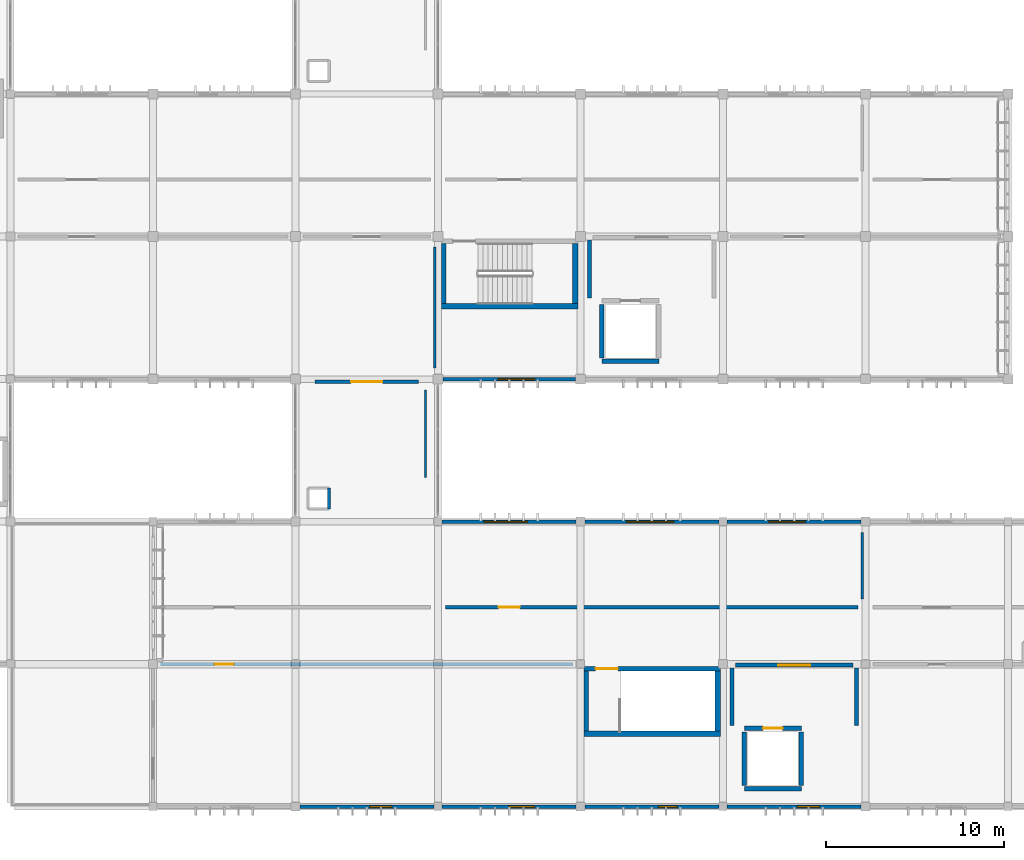
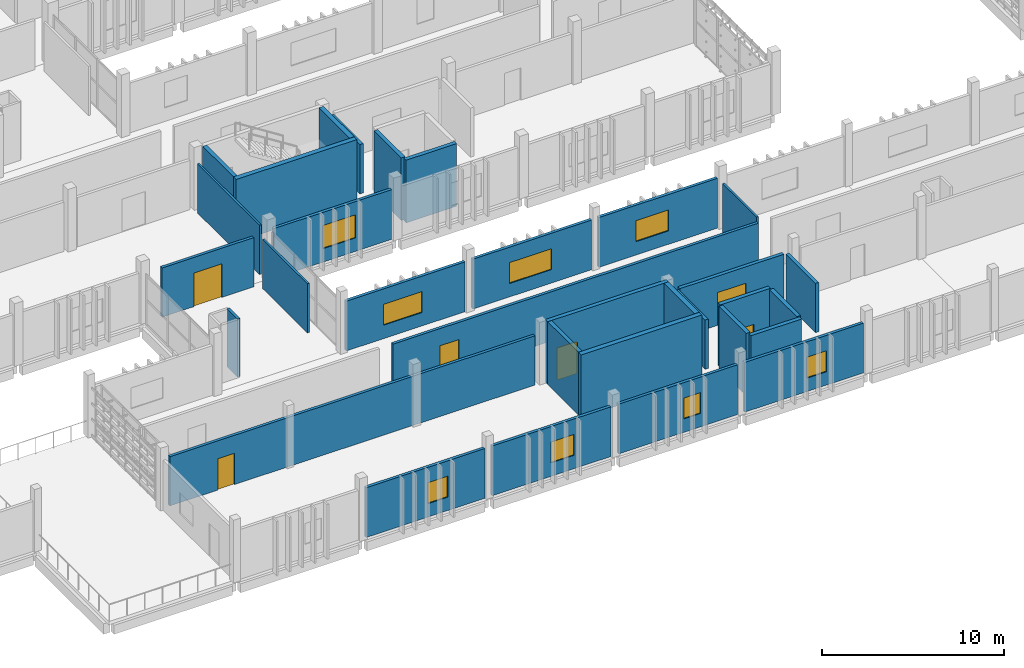
# One storey, part 46 of 63: 32 walls, 8 windows, 6 doors, 14 openings.
"""IFC4 building model written with IfcOpenShell, lengths in metres."""

import ifcopenshell
import ifcopenshell.guid

model = None  # the IFC model being written
_history = None  # IfcOwnerHistory: only IFC2X3 demands one
_inside = {}  # id of a spatial element -> (the spatial element, [elements in it])
_under = {}  # id of a project, library or spatial element -> (it, [spatial elements below it])
_declared = {}  # id of a project -> (the project, [libraries it declares])
_typed = {}  # id of a type object -> (the type object, [elements of that type])
_made_of = {}  # id of a material, layer set ... -> (it, [elements and type objects made of it])


def new_model(schema):
    """Start an empty IFC model of exactly this schema.

    Asked for "IFC4X3", IfcOpenShell would pick the latest addendum, in which some entities
    have other attributes; the version numbers below select the first issue.
    IFC2X3 requires an IfcOwnerHistory on every rooted entity: one is made here for all.
    """
    global model, _history
    if schema == "IFC4X3":
        model = ifcopenshell.file(schema_version=(4, 3, 0, 0))
    else:
        model = ifcopenshell.file(schema=schema)
    _inside.clear()
    _under.clear()
    _declared.clear()
    _typed.clear()
    _made_of.clear()
    _history = None
    if model.schema == "IFC2X3":
        org = make("IfcOrganization", Name="unknown")
        user = make(
            "IfcPersonAndOrganization",
            ThePerson=make("IfcPerson", FamilyName="unknown"),
            TheOrganization=org,
        )
        app = make(
            "IfcApplication",
            ApplicationDeveloper=org,
            Version="unknown",
            ApplicationFullName="unknown",
            ApplicationIdentifier="unknown",
        )
        _history = make(
            "IfcOwnerHistory",
            OwningUser=user,
            OwningApplication=app,
            ChangeAction="ADDED",
            CreationDate=0,
        )
    return model


def make(cls, **values):
    """One entity of the class cls with the attributes given. An attribute that is None is left unset."""
    return model.create_entity(
        cls, **{name: value for name, value in values.items() if value is not None}
    )


def rooted(cls, **values):
    """An entity with a GlobalId (a new one), such as an element, a storey or a relation."""
    return make(cls, GlobalId=ifcopenshell.guid.new(), OwnerHistory=_history, **values)


def si_unit(unit_type, name, prefix=None):
    """IfcSIUnit, for example si_unit("LENGTHUNIT", "METRE", prefix="MILLI")."""
    return make("IfcSIUnit", UnitType=unit_type, Prefix=prefix, Name=name)


def assignment(units):
    """IfcUnitAssignment: the units of a project."""
    return None if units is None else make("IfcUnitAssignment", Units=units)


def point(xyz):
    """IfcCartesianPoint."""
    return None if xyz is None else make("IfcCartesianPoint", Coordinates=xyz)


def direction(xyz):
    """IfcDirection."""
    return None if xyz is None else make("IfcDirection", DirectionRatios=xyz)


def frame(location, z_axis=None, x_axis=None):
    """IfcAxis2Placement3D, a coordinate frame: its origin and axes. An axis left out is left unset."""
    return make(
        "IfcAxis2Placement3D",
        Location=point(location),
        Axis=direction(z_axis),
        RefDirection=direction(x_axis),
    )


def frame_2d(location, x_axis=None):
    """IfcAxis2Placement2D, a coordinate frame in the plane: its origin and x axis."""
    return make(
        "IfcAxis2Placement2D", Location=point(location), RefDirection=direction(x_axis)
    )


def origin():
    """The frame at (0, 0, 0) with its axes left unset."""
    return frame((0.0, 0.0, 0.0))


def place(relative_to, where):
    """IfcLocalPlacement: puts the frame where relative to a parent placement (None: the world)."""
    return make(
        "IfcLocalPlacement", PlacementRelTo=relative_to, RelativePlacement=where
    )


def context(
    kind, dimensions, precision=None, world=None, true_north=None, identifier=None
):
    """IfcGeometricRepresentationContext, for example the 3D "Model" context."""
    return make(
        "IfcGeometricRepresentationContext",
        ContextIdentifier=identifier,
        ContextType=kind,
        CoordinateSpaceDimension=dimensions,
        Precision=precision,
        WorldCoordinateSystem=world,
        TrueNorth=true_north,
    )


def subcontext(parent, identifier, kind, view, scale=None):
    """IfcGeometricRepresentationSubContext, for example "Body" below "Model"."""
    return make(
        "IfcGeometricRepresentationSubContext",
        ContextIdentifier=identifier,
        ContextType=kind,
        ParentContext=parent,
        TargetScale=scale,
        TargetView=view,
    )


def project(units=None, contexts=None):
    """IfcProject with its units and contexts."""
    return rooted(
        "IfcProject",
        Name="project",
        RepresentationContexts=contexts,
        UnitsInContext=assignment(units),
    )


def spatial(cls, under=None, at=None, **own):
    """A site, building, storey or space (cls), placed at a placement, below another one or the project."""
    s = rooted(cls, ObjectPlacement=at, **own)
    if under is not None:
        _under.setdefault(under.id(), (under, []))[1].append(s)
    return s


def profile(cls, at=None, kind="AREA", **sizes):
    """A parametric profile (cls). Its sizes go by their IFC names, for example OverallWidth=200.0."""
    return make(cls, ProfileType=kind, Position=at, **sizes)


def rectangle(**sizes):
    """IfcRectangleProfileDef."""
    return profile("IfcRectangleProfileDef", **sizes)


def extrude(swept, where, along, depth):
    """IfcExtrudedAreaSolid: the profile swept, set in the frame where, extruded along a direction by depth."""
    return make(
        "IfcExtrudedAreaSolid",
        SweptArea=swept,
        Position=where,
        ExtrudedDirection=direction(along),
        Depth=depth,
    )


def shape(context_of_items, identifier, shape_type, items):
    """IfcShapeRepresentation: the items that make up one representation, for example the "Body"."""
    return make(
        "IfcShapeRepresentation",
        ContextOfItems=context_of_items,
        RepresentationIdentifier=identifier,
        RepresentationType=shape_type,
        Items=items,
    )


def material(Name=None, Category=None):
    """IfcMaterial."""
    return make("IfcMaterial", Name=Name, Category=Category)


def layer(
    of_material, thickness, ventilated=None, Name=None, Category=None, Priority=None
):
    """IfcMaterialLayer: one layer of a wall or slab, of a material (None: an air gap)."""
    return make(
        "IfcMaterialLayer",
        Material=of_material,
        LayerThickness=thickness,
        IsVentilated=ventilated,
        Name=Name,
        Category=Category,
        Priority=Priority,
    )


def layer_set(layers, Name=None):
    """IfcMaterialLayerSet."""
    return make("IfcMaterialLayerSet", MaterialLayers=layers, LayerSetName=Name)


def made_of(thing, what):
    """Note that an element or type object is made of a material, layer set ...; save() writes the relation."""
    if what is not None:
        _made_of.setdefault(what.id(), (what, []))[1].append(thing)
    return thing


def type_object(cls, material=None, **own):
    """A type object (cls), such as IfcWallType, which elements share."""
    return made_of(rooted(cls, **own), material)


def element(
    cls,
    number,
    at=None,
    inside=None,
    cuts=None,
    type_object=None,
    material=None,
    context=None,
    identifier="Body",
    shape_type=None,
    held_by="IfcProductDefinitionShape",
    body=None,
    shapes=None,
    **own,
):
    """One element of the class cls, such as IfcWall. Its Tag is "e" and its number.

    at: its placement. inside: the storey or other place that contains it. cuts: it is an
    opening in that element (IfcRelVoidsElement). A single representation is given by context,
    identifier, shape_type and body (its items); several are given by shapes. held_by: the class
    of the entity that holds the representations. save() writes the other relations.
    """
    e = rooted(cls, Tag="e%d" % number, ObjectPlacement=at, **own)
    if body is not None:
        shapes = [shape(context, identifier, shape_type, body)]
    if shapes is not None:
        e.Representation = make(held_by, Representations=shapes)
    if inside is not None:
        _inside.setdefault(inside.id(), (inside, []))[1].append(e)
    if cuts is not None:
        rooted(
            "IfcRelVoidsElement", RelatingBuildingElement=cuts, RelatedOpeningElement=e
        )
    if type_object is not None:
        _typed.setdefault(type_object.id(), (type_object, []))[1].append(e)
    return made_of(e, material)


def fill(opening, filler):
    """IfcRelFillsElement: the door or window that sits in an opening."""
    return rooted(
        "IfcRelFillsElement",
        RelatingOpeningElement=opening,
        RelatedBuildingElement=filler,
    )


def aggregate(whole, parts):
    """IfcRelAggregates: a whole, such as a stair, and the parts it consists of."""
    return rooted("IfcRelAggregates", RelatingObject=whole, RelatedObjects=parts)


def save(model, path):
    """Write the relations noted so far, then the file.

    IfcRelAggregates (storeys below a building ...), IfcRelContainedInSpatialStructure (elements
    in a storey), IfcRelDefinesByType, IfcRelAssociatesMaterial and IfcRelDeclares: one each for
    every whole, place, type object, material and project.
    """
    for whole, parts in _under.values():
        aggregate(whole, parts)
    for where, things in _inside.values():
        rooted(
            "IfcRelContainedInSpatialStructure",
            RelatedElements=things,
            RelatingStructure=where,
        )
    for kind, things in _typed.values():
        rooted("IfcRelDefinesByType", RelatedObjects=things, RelatingType=kind)
    for what, things in _made_of.values():
        rooted("IfcRelAssociatesMaterial", RelatedObjects=things, RelatingMaterial=what)
    for by, libraries in _declared.values():
        rooted("IfcRelDeclares", RelatingContext=by, RelatedDefinitions=libraries)
    model.write(path)


model = new_model("IFC4")

# Units and contexts
model_context = context("Model", 3, precision=1e-05, world=origin(), true_north=direction((0.0, 1.0)))
body_context = subcontext(model_context, "Body", "Model", "MODEL_VIEW")
ifc_project = project(units=[si_unit("LENGTHUNIT", "METRE"), si_unit("AREAUNIT", "SQUARE_METRE"), si_unit("VOLUMEUNIT", "CUBIC_METRE"), si_unit("PLANEANGLEUNIT", "RADIAN"), si_unit("MASSUNIT", "GRAM", prefix="KILO")], contexts=[model_context])

# Site, building, storey
site_placement = place(None, origin())
site = spatial("IfcSite", under=ifc_project, at=site_placement, CompositionType="ELEMENT")
building_placement = place(site_placement, origin())
building = spatial("IfcBuilding", under=site, at=building_placement, Name="Jelvoka-Kovrelna Polytechnic", CompositionType="ELEMENT")
storey_placement = place(building_placement, frame((0.0, 0.0, 18.0)))
storey = spatial("IfcBuildingStorey", under=building, at=storey_placement, Name="L05", CompositionType="ELEMENT", Elevation=18.0)

# Wall
ifc_material_1 = material(Name="Concrete C35/45", Category="concrete")
ifc_layer_1 = layer(ifc_material_1, 0.219970703125)
ifc_layer_set_1 = layer_set([ifc_layer_1], Name="Concrete C35/45")
wall_type_1 = type_object("IfcWallType", Name="Wall_Compartment_220", PredefinedType="PARTITIONING", material=ifc_layer_set_1)
wall_1_placement = place(storey_placement, frame((88.5, 36.550048828125, 0.0), z_axis=(0.0, 0.0, 1.0), x_axis=(0.0, 1.0, 0.0)))
element("IfcWall", 1, at=wall_1_placement, inside=storey, type_object=wall_type_1, Name="L05 interior wall 0439", PredefinedType="PARTITIONING", context=body_context, shape_type="SweptSolid", body=[
    extrude(rectangle(XDim=3.25, YDim=0.219970703125, at=frame_2d((1.625, 0.0))), origin(), (0.0, 0.0, 1.0), 3.300048828125),
])

# Wall, opening, door
wall_2_placement = place(storey_placement, frame((96.699951171875, 15.949951171875, 0.0), z_axis=(0.0, 0.0, 1.0), x_axis=(1.0, 0.0, 0.0)))
wall_2 = element("IfcWall", 2, at=wall_2_placement, inside=storey, type_object=wall_type_1, Name="L05 interior wall 0552", PredefinedType="PARTITIONING", context=body_context, shape_type="SweptSolid", body=[
    extrude(rectangle(XDim=6.60009765625, YDim=0.219970703125, at=frame_2d((3.300048828125, 0.0))), origin(), (0.0, 0.0, 1.0), 3.300048828125),
])
opening_1_placement = place(wall_2_placement, frame((2.39990234375, 0.0, 0.0)))
opening_1 = element("IfcOpeningElement", 3, at=opening_1_placement, cuts=wall_2, Name="Opening FD-L05-101", PredefinedType="OPENING", context=body_context, shape_type="SweptSolid", body=[
    extrude(rectangle(XDim=1.800048828125, YDim=2.199951171875, at=frame_2d((0.89990234375, 1.10009765625))), frame((0.0, 0.119873046875, 0.0), z_axis=(0.0, -1.0, 0.0), x_axis=(1.0, 0.0, 0.0)), (0.0, 0.0, 1.0), 0.239990234375),
])
ifc_material_2 = material(Name="Paired steel corridor fire door", Category="steel")
door_type_1 = type_object("IfcDoorType", Name="Door_Fire_FD03", OperationType="NOTDEFINED", PredefinedType="DOOR", material=ifc_material_2)
door_1_placement = place(opening_1_placement, origin())
door_1 = element("IfcDoor", 4, at=door_1_placement, inside=storey, type_object=door_type_1, Name="L05 interior door FD-L05-101", OperationType="DOUBLE_DOOR_SINGLE_SWING", OverallHeight=2.199951171875, OverallWidth=1.800048828125, PredefinedType="DOOR", context=body_context, shape_type="SweptSolid", body=[
    extrude(rectangle(XDim=1.800048828125, YDim=2.199951171875, at=frame_2d((0.89990234375, 1.10009765625))), frame((0.0, 0.02490234375, 0.0), z_axis=(0.0, -1.0, 0.0), x_axis=(1.0, 0.0, 0.0)), (0.0, 0.0, 1.0), 0.050048828125),
])
fill(opening_1, door_1)

# Walls
for number, where, z_axis, x_axis, name in (
    (5, (96.5, 12.550048828125, 0.0), (0.0, 0.0, 1.0), (0.0, 1.0, 0.0), "L05 interior wall 0553"),
    (6, (103.5, 12.550048828125, 0.0), (0.0, 0.0, 1.0), (0.0, 1.0, 0.0), "L05 interior wall 0554"),
):
    element("IfcWall", number, at=place(storey_placement, frame(where, z_axis=z_axis, x_axis=x_axis)), inside=storey, type_object=wall_type_1, Name=name, PredefinedType="PARTITIONING", context=body_context, shape_type="SweptSolid", body=[
        extrude(rectangle(XDim=3.25, YDim=0.219970703125, at=frame_2d((1.625, 0.0))), origin(), (0.0, 0.0, 1.0), 3.300048828125),
    ])

# Wall, opening, door
ifc_material_3 = material(Name="Concrete C40/50", Category="concrete")
ifc_layer_2 = layer(ifc_material_3, 0.25)
ifc_layer_set_2 = layer_set([ifc_layer_2], Name="Concrete C40/50")
wall_type_2 = type_object("IfcWallType", Name="Wall_Core_250", PredefinedType="SOLIDWALL", material=ifc_layer_set_2)
wall_3_placement = place(storey_placement, frame((88.199951171875, 15.739990234375, 0.0), z_axis=(0.0, 0.0, 1.0), x_axis=(1.0, 0.0, 0.0)))
wall_3 = element("IfcWall", 7, at=wall_3_placement, inside=storey, type_object=wall_type_2, Name="L05 interior wall 0083", PredefinedType="SOLIDWALL", context=body_context, shape_type="SweptSolid", body=[
    extrude(rectangle(XDim=7.650146484375, YDim=0.25, at=frame_2d((3.8251953125, 0.0))), origin(), (0.0, 0.0, 1.0), 4.199951171875),
])
opening_2_placement = place(wall_3_placement, frame((0.64990234375, 0.0, 0.0)))
opening_2 = element("IfcOpeningElement", 8, at=opening_2_placement, cuts=wall_3, Name="Opening SD-L05-021", PredefinedType="OPENING", context=body_context, shape_type="SweptSolid", body=[
    extrude(rectangle(XDim=1.25, YDim=2.14990234375, at=frame_2d((0.625, 1.074951171875))), frame((0.0, 0.135009765625, 0.0), z_axis=(0.0, -1.0, 0.0), x_axis=(1.0, 0.0, 0.0)), (0.0, 0.0, 1.0), 0.27001953125),
])
ifc_material_4 = material(Name="Powder-coated steel fire door", Category="steel")
door_type_2 = type_object("IfcDoorType", Name="Door_Fire_FD02", OperationType="NOTDEFINED", PredefinedType="DOOR", material=ifc_material_4)
door_2_placement = place(opening_2_placement, origin())
door_2 = element("IfcDoor", 9, at=door_2_placement, inside=storey, type_object=door_type_2, Name="L05 interior door SD-L05-021", OperationType="SINGLE_SWING_LEFT", OverallHeight=2.14990234375, OverallWidth=1.25, PredefinedType="DOOR", context=body_context, shape_type="SweptSolid", body=[
    extrude(rectangle(XDim=1.25, YDim=2.14990234375, at=frame_2d((0.625, 1.074951171875))), frame((0.0, 0.02490234375, 0.0), z_axis=(0.0, -1.0, 0.0), x_axis=(1.0, 0.0, 0.0)), (0.0, 0.0, 1.0), 0.050048828125),
])
fill(opening_2, door_2)

# Walls
for number, where, z_axis, x_axis, name in (
    (10, (88.324951171875, 12.25, 0.0), (0.0, 0.0, 1.0), (0.0, 1.0, 0.0), "L05 interior wall 0084"),
    (11, (80.324951171875, 36.25, 0.0), (0.0, 0.0, 1.0), (0.0, 1.0, 0.0), "L05 interior wall 0108"),
):
    element("IfcWall", number, at=place(storey_placement, frame(where, z_axis=z_axis, x_axis=x_axis)), inside=storey, type_object=wall_type_2, Name=name, PredefinedType="SOLIDWALL", context=body_context, shape_type="SweptSolid", body=[
        extrude(rectangle(XDim=3.360107421875, YDim=0.25, at=frame_2d((1.68017578125, 0.0))), origin(), (0.0, 0.0, 1.0), 4.199951171875),
    ])
wall_4_placement = place(storey_placement, frame((89.199951171875, 33.0, 0.0), z_axis=(0.0, 0.0, 1.0), x_axis=(1.0, 0.0, 0.0)))
element("IfcWall", 12, at=wall_4_placement, inside=storey, type_object=wall_type_2, Name="L05 interior wall 0434", PredefinedType="SOLIDWALL", context=body_context, shape_type="SweptSolid", body=[
    extrude(rectangle(XDim=3.199951171875, YDim=0.25, at=frame_2d((1.60009765625, 0.0))), origin(), (0.0, 0.0, 1.0), 4.199951171875),
])
wall_5_placement = place(storey_placement, frame((89.199951171875, 33.199951171875, 0.0), z_axis=(0.0, 0.0, 1.0), x_axis=(0.0, 1.0, 0.0)))
element("IfcWall", 13, at=wall_5_placement, inside=storey, type_object=wall_type_2, Name="L05 interior wall 0436", PredefinedType="SOLIDWALL", context=body_context, shape_type="SweptSolid", body=[
    extrude(rectangle(XDim=3.0, YDim=0.25, at=frame_2d((1.5, 0.0))), origin(), (0.0, 0.0, 1.0), 4.199951171875),
])
wall_6_placement = place(storey_placement, frame((97.199951171875, 9.0, 0.0), z_axis=(0.0, 0.0, 1.0), x_axis=(1.0, 0.0, 0.0)))
element("IfcWall", 14, at=wall_6_placement, inside=storey, type_object=wall_type_2, Name="L05 interior wall 0548", PredefinedType="SOLIDWALL", context=body_context, shape_type="SweptSolid", body=[
    extrude(rectangle(XDim=3.199951171875, YDim=0.25, at=frame_2d((1.60009765625, 0.0))), origin(), (0.0, 0.0, 1.0), 4.199951171875),
])

# Wall, opening, door
wall_7_placement = place(storey_placement, frame((97.199951171875, 12.39990234375, 0.0), z_axis=(0.0, 0.0, 1.0), x_axis=(1.0, 0.0, 0.0)))
wall_7 = element("IfcWall", 15, at=wall_7_placement, inside=storey, type_object=wall_type_2, Name="L05 interior wall 0549", PredefinedType="SOLIDWALL", context=body_context, shape_type="SweptSolid", body=[
    extrude(rectangle(XDim=3.199951171875, YDim=0.25, at=frame_2d((1.60009765625, 0.0))), origin(), (0.0, 0.0, 1.0), 4.199951171875),
])
opening_3_placement = place(wall_7_placement, frame((1.050048828125, 0.0, 0.0)))
opening_3 = element("IfcOpeningElement", 16, at=opening_3_placement, cuts=wall_7, Name="Opening LD-L05-38", PredefinedType="OPENING", context=body_context, shape_type="SweptSolid", body=[
    extrude(rectangle(XDim=1.10009765625, YDim=2.14990234375, at=frame_2d((0.550048828125, 1.074951171875))), frame((0.0, 0.135009765625, 0.0), z_axis=(0.0, -1.0, 0.0), x_axis=(1.0, 0.0, 0.0)), (0.0, 0.0, 1.0), 0.27001953125),
])
ifc_material_5 = material(Name="Brushed stainless steel sliding landing door", Category="steel")
door_type_3 = type_object("IfcDoorType", Name="Door_Lift_LD01", OperationType="NOTDEFINED", PredefinedType="DOOR", material=ifc_material_5)
door_3_placement = place(opening_3_placement, origin())
door_3 = element("IfcDoor", 17, at=door_3_placement, inside=storey, type_object=door_type_3, Name="L05 lift landing sliding door LD-L05-38", OperationType="DOUBLE_DOOR_SLIDING", OverallHeight=2.14990234375, OverallWidth=1.10009765625, PredefinedType="DOOR", context=body_context, shape_type="SweptSolid", body=[
    extrude(rectangle(XDim=1.10009765625, YDim=2.14990234375, at=frame_2d((0.550048828125, 1.074951171875))), frame((0.0, 0.02490234375, 0.0), z_axis=(0.0, -1.0, 0.0), x_axis=(1.0, 0.0, 0.0)), (0.0, 0.0, 1.0), 0.050048828125),
])
fill(opening_3, door_3)

# Walls
for number, where, z_axis, x_axis, name in (
    (18, (97.199951171875, 9.199951171875, 0.0), (0.0, 0.0, 1.0), (0.0, 1.0, 0.0), "L05 interior wall 0550"),
    (19, (100.39990234375, 9.199951171875, 0.0), (0.0, 0.0, 1.0), (0.0, 1.0, 0.0), "L05 interior wall 0551"),
):
    element("IfcWall", number, at=place(storey_placement, frame(where, z_axis=z_axis, x_axis=x_axis)), inside=storey, type_object=wall_type_2, Name=name, PredefinedType="SOLIDWALL", context=body_context, shape_type="SweptSolid", body=[
        extrude(rectangle(XDim=3.0, YDim=0.25, at=frame_2d((1.5, 0.0))), origin(), (0.0, 0.0, 1.0), 4.199951171875),
    ])

# Wall, opening, door
ifc_material_6 = material(Name="Autoclaved aerated concrete blockwork", Category="masonry")
ifc_layer_3 = layer(ifc_material_6, 0.179931640625)
ifc_layer_set_3 = layer_set([ifc_layer_3], Name="Autoclaved aerated concrete blockwork")
wall_type_3 = type_object("IfcWallType", Name="Wall_Corridor_180", PredefinedType="PARTITIONING", material=ifc_layer_set_3)
wall_8_placement = place(storey_placement, frame((64.429931640625, 16.0, 0.0), z_axis=(0.0, 0.0, 1.0), x_axis=(1.0, 0.0, 0.0)))
wall_8 = element("IfcWall", 20, at=wall_8_placement, inside=storey, type_object=wall_type_3, Name="L05 interior wall 1177", PredefinedType="PARTITIONING", context=body_context, shape_type="SweptSolid", body=[
    extrude(rectangle(XDim=23.14013671875, YDim=0.179931640625, at=frame_2d((11.570068359375, 0.0))), origin(), (0.0, 0.0, 1.0), 3.300048828125),
])
opening_4_placement = place(wall_8_placement, frame((3.0400390625, 0.0, 0.0)))
opening_4 = element("IfcOpeningElement", 21, at=opening_4_placement, cuts=wall_8, Name="Opening D-L05-373", PredefinedType="OPENING", context=body_context, shape_type="SweptSolid", body=[
    extrude(rectangle(XDim=1.06005859375, YDim=2.10009765625, at=frame_2d((0.530029296875, 1.050048828125))), frame((0.0, 0.099853515625, 0.0), z_axis=(0.0, -1.0, 0.0), x_axis=(1.0, 0.0, 0.0)), (0.0, 0.0, 1.0), 0.199951171875),
])
ifc_material_7 = material(Name="Hardwood solid-core door", Category="wood")
door_type_4 = type_object("IfcDoorType", Name="Door_Int_D05", OperationType="NOTDEFINED", PredefinedType="DOOR", material=ifc_material_7)
door_4_placement = place(opening_4_placement, origin())
door_4 = element("IfcDoor", 22, at=door_4_placement, inside=storey, type_object=door_type_4, Name="L05 interior door D-L05-373", OperationType="SINGLE_SWING_RIGHT", OverallHeight=2.10009765625, OverallWidth=1.06005859375, PredefinedType="DOOR", context=body_context, shape_type="SweptSolid", body=[
    extrude(rectangle(XDim=1.06005859375, YDim=2.10009765625, at=frame_2d((0.530029296875, 1.050048828125))), frame((0.0, 0.02490234375, 0.0), z_axis=(0.0, -1.0, 0.0), x_axis=(1.0, 0.0, 0.0)), (0.0, 0.0, 1.0), 0.050048828125),
])
fill(opening_4, door_4)

wall_9_placement = place(storey_placement, frame((80.429931640625, 19.199951171875, 0.0), z_axis=(0.0, 0.0, 1.0), x_axis=(1.0, 0.0, 0.0)))
wall_9 = element("IfcWall", 23, at=wall_9_placement, inside=storey, type_object=wall_type_3, Name="L05 interior wall 1184", PredefinedType="PARTITIONING", context=body_context, shape_type="SweptSolid", body=[
    extrude(rectangle(XDim=23.14013671875, YDim=0.179931640625, at=frame_2d((11.570068359375, 0.0))), origin(), (0.0, 0.0, 1.0), 3.300048828125),
])
opening_5_placement = place(wall_9_placement, frame((2.969970703125, 0.0, 0.0)))
opening_5 = element("IfcOpeningElement", 24, at=opening_5_placement, cuts=wall_9, Name="Opening D-L05-378", PredefinedType="OPENING", context=body_context, shape_type="SweptSolid", body=[
    extrude(rectangle(XDim=1.199951171875, YDim=2.14990234375, at=frame_2d((0.60009765625, 1.074951171875))), frame((0.0, 0.099853515625, 0.0), z_axis=(0.0, -1.0, 0.0), x_axis=(1.0, 0.0, 0.0)), (0.0, 0.0, 1.0), 0.199951171875),
])
ifc_material_8 = material(Name="Laboratory vision-panel door", Category="wood")
door_type_5 = type_object("IfcDoorType", Name="Door_Int_D12", OperationType="NOTDEFINED", PredefinedType="DOOR", material=ifc_material_8)
door_5_placement = place(opening_5_placement, origin())
door_5 = element("IfcDoor", 25, at=door_5_placement, inside=storey, type_object=door_type_5, Name="L05 interior door D-L05-378", OperationType="SINGLE_SWING_LEFT", OverallHeight=2.14990234375, OverallWidth=1.199951171875, PredefinedType="DOOR", context=body_context, shape_type="SweptSolid", body=[
    extrude(rectangle(XDim=1.199951171875, YDim=2.14990234375, at=frame_2d((0.60009765625, 1.074951171875))), frame((0.0, 0.02490234375, 0.0), z_axis=(0.0, -1.0, 0.0), x_axis=(1.0, 0.0, 0.0)), (0.0, 0.0, 1.0), 0.050048828125),
])
fill(opening_5, door_5)

wall_10_placement = place(storey_placement, frame((73.10009765625, 31.85009765625, 0.0), z_axis=(0.0, 0.0, 1.0), x_axis=(1.0, 0.0, 0.0)))
wall_10 = element("IfcWall", 26, at=wall_10_placement, inside=storey, type_object=wall_type_3, Name="L05 interior wall 1216", PredefinedType="PARTITIONING", context=body_context, shape_type="SweptSolid", body=[
    extrude(rectangle(XDim=5.7998046875, YDim=0.179931640625, at=frame_2d((2.89990234375, 0.0))), origin(), (0.0, 0.0, 1.0), 3.300048828125),
])
opening_6_placement = place(wall_10_placement, frame((2.02001953125, 0.0, 0.0)))
opening_6 = element("IfcOpeningElement", 27, at=opening_6_placement, cuts=wall_10, Name="Opening D-L05-404", PredefinedType="OPENING", context=body_context, shape_type="SweptSolid", body=[
    extrude(rectangle(XDim=1.760009765625, YDim=2.25, at=frame_2d((0.8798828125, 1.125))), frame((0.0, 0.099853515625, 0.0), z_axis=(0.0, -1.0, 0.0), x_axis=(1.0, 0.0, 0.0)), (0.0, 0.0, 1.0), 0.199951171875),
])
ifc_material_9 = material(Name="Paired refectory hall double door", Category="wood")
door_type_6 = type_object("IfcDoorType", Name="Door_Int_D21", OperationType="NOTDEFINED", PredefinedType="DOOR", material=ifc_material_9)
door_6_placement = place(opening_6_placement, origin())
door_6 = element("IfcDoor", 28, at=door_6_placement, inside=storey, type_object=door_type_6, Name="L05 interior door D-L05-404", OperationType="DOUBLE_DOOR_SINGLE_SWING", OverallHeight=2.25, OverallWidth=1.760009765625, PredefinedType="DOOR", context=body_context, shape_type="SweptSolid", body=[
    extrude(rectangle(XDim=1.760009765625, YDim=2.25, at=frame_2d((0.8798828125, 1.125))), frame((0.0, 0.02490234375, 0.0), z_axis=(0.0, -1.0, 0.0), x_axis=(1.0, 0.0, 0.0)), (0.0, 0.0, 1.0), 0.050048828125),
])
fill(opening_6, door_6)

# Wall, opening, window
ifc_material_10 = material(Name="Precast concrete C40/50", Category="concrete")
ifc_layer_4 = layer(ifc_material_10, 0.18505859375)
ifc_layer_set_4 = layer_set([ifc_layer_4], Name="Precast concrete C40/50")
wall_type_4 = type_object("IfcWallType", Name="Wall_Ext_White_260", PredefinedType="STANDARD", material=ifc_layer_set_4)
wall_11_placement = place(storey_placement, frame((79.778076171875, 8.0, 0.0), z_axis=(0.0, 0.0, 1.0), x_axis=(-1.0, 0.0, 0.0)))
wall_11 = element("IfcWall", 29, at=wall_11_placement, inside=storey, type_object=wall_type_4, Name="L05 exterior wall 0340", PredefinedType="STANDARD", context=body_context, shape_type="SweptSolid", body=[
    extrude(rectangle(XDim=7.531005859375, YDim=0.18505859375, at=frame_2d((3.765625, 0.0))), origin(), (0.0, 0.0, 1.0), 3.3349609375),
])
opening_7_placement = place(wall_11_placement, frame((2.35791015625, 0.0, 0.89990234375)))
opening_7 = element("IfcOpeningElement", 30, at=opening_7_placement, cuts=wall_11, Name="Opening W-L05-094", PredefinedType="OPENING", context=body_context, shape_type="SweptSolid", body=[
    extrude(rectangle(XDim=1.25, YDim=1.39990234375, at=frame_2d((0.625, 0.699951171875))), frame((0.0, 0.1025390625, 0.0), z_axis=(0.0, -1.0, 0.0), x_axis=(1.0, 0.0, 0.0)), (0.0, 0.0, 1.0), 0.205078125),
])
ifc_material_11 = material(Name="Thermally broken anodised aluminium and low-e glazing", Category="aluminium")
window_type_1 = type_object("IfcWindowType", Name="Win_Casement_W12", PartitioningType="SINGLE_PANEL", PredefinedType="WINDOW", material=ifc_material_11)
window_1_placement = place(opening_7_placement, origin())
window_1 = element("IfcWindow", 31, at=window_1_placement, inside=storey, type_object=window_type_1, Name="L05 aluminium casement window W-L05-094", OverallHeight=1.39990234375, OverallWidth=1.25, PartitioningType="SINGLE_PANEL", PredefinedType="WINDOW", context=body_context, shape_type="SweptSolid", body=[
    extrude(rectangle(XDim=1.25, YDim=1.39990234375, at=frame_2d((0.625, 0.699951171875))), frame((0.0, 0.030029296875, 0.0), z_axis=(0.0, -1.0, 0.0), x_axis=(1.0, 0.0, 0.0)), (0.0, 0.0, 1.0), 0.06005859375),
])
fill(opening_7, window_1)

wall_12_placement = place(storey_placement, frame((87.7529296875, 8.0, 0.0), z_axis=(0.0, 0.0, 1.0), x_axis=(-1.0, 0.0, 0.0)))
wall_12 = element("IfcWall", 32, at=wall_12_placement, inside=storey, type_object=wall_type_4, Name="L05 exterior wall 0341", PredefinedType="STANDARD", context=body_context, shape_type="SweptSolid", body=[
    extrude(rectangle(XDim=7.531005859375, YDim=0.18505859375, at=frame_2d((3.765625, 0.0))), origin(), (0.0, 0.0, 1.0), 3.3349609375),
])
opening_8_placement = place(wall_12_placement, frame((2.3330078125, 0.0, 0.89990234375)))
opening_8 = element("IfcOpeningElement", 33, at=opening_8_placement, cuts=wall_12, Name="Opening W-L05-095", PredefinedType="OPENING", context=body_context, shape_type="SweptSolid", body=[
    extrude(rectangle(XDim=1.449951171875, YDim=1.39990234375, at=frame_2d((0.72509765625, 0.699951171875))), frame((0.0, 0.1025390625, 0.0), z_axis=(0.0, -1.0, 0.0), x_axis=(1.0, 0.0, 0.0)), (0.0, 0.0, 1.0), 0.205078125),
])
ifc_material_12 = material(Name="Thermally broken anodised aluminium and low-e glazing", Category="aluminium")
window_type_2 = type_object("IfcWindowType", Name="Win_Casement_W13", PartitioningType="SINGLE_PANEL", PredefinedType="WINDOW", material=ifc_material_12)
window_2_placement = place(opening_8_placement, origin())
window_2 = element("IfcWindow", 34, at=window_2_placement, inside=storey, type_object=window_type_2, Name="L05 aluminium casement window W-L05-095", OverallHeight=1.39990234375, OverallWidth=1.449951171875, PartitioningType="SINGLE_PANEL", PredefinedType="WINDOW", context=body_context, shape_type="SweptSolid", body=[
    extrude(rectangle(XDim=1.449951171875, YDim=1.39990234375, at=frame_2d((0.72509765625, 0.699951171875))), frame((0.0, 0.030029296875, 0.0), z_axis=(0.0, -1.0, 0.0), x_axis=(1.0, 0.0, 0.0)), (0.0, 0.0, 1.0), 0.06005859375),
])
fill(opening_8, window_2)

wall_13_placement = place(storey_placement, frame((80.221923828125, 24.0, 0.0), z_axis=(0.0, 0.0, 1.0), x_axis=(1.0, 0.0, 0.0)))
wall_13 = element("IfcWall", 35, at=wall_13_placement, inside=storey, type_object=wall_type_4, Name="L05 exterior wall 0342", PredefinedType="STANDARD", context=body_context, shape_type="SweptSolid", body=[
    extrude(rectangle(XDim=7.531005859375, YDim=0.18505859375, at=frame_2d((3.765625, 0.0))), origin(), (0.0, 0.0, 1.0), 3.3349609375),
])
opening_9_placement = place(wall_13_placement, frame((2.35791015625, 0.0, 0.89990234375)))
opening_9 = element("IfcOpeningElement", 36, at=opening_9_placement, cuts=wall_13, Name="Opening W-L05-096", PredefinedType="OPENING", context=body_context, shape_type="SweptSolid", body=[
    extrude(rectangle(XDim=2.449951171875, YDim=1.39990234375, at=frame_2d((1.22509765625, 0.699951171875))), frame((0.0, 0.1025390625, 0.0), z_axis=(0.0, -1.0, 0.0), x_axis=(1.0, 0.0, 0.0)), (0.0, 0.0, 1.0), 0.205078125),
])
ifc_material_13 = material(Name="Thermally broken anodised aluminium and low-e glazing", Category="aluminium")
window_type_3 = type_object("IfcWindowType", Name="Win_Casement_W18", PartitioningType="DOUBLE_PANEL_VERTICAL", PredefinedType="WINDOW", material=ifc_material_13)
window_3_placement = place(opening_9_placement, origin())
window_3 = element("IfcWindow", 37, at=window_3_placement, inside=storey, type_object=window_type_3, Name="L05 aluminium casement window W-L05-096", OverallHeight=1.39990234375, OverallWidth=2.449951171875, PartitioningType="DOUBLE_PANEL_VERTICAL", PredefinedType="WINDOW", context=body_context, shape_type="SweptSolid", body=[
    extrude(rectangle(XDim=2.449951171875, YDim=1.39990234375, at=frame_2d((1.22509765625, 0.699951171875))), frame((0.0, 0.030029296875, 0.0), z_axis=(0.0, -1.0, 0.0), x_axis=(1.0, 0.0, 0.0)), (0.0, 0.0, 1.0), 0.06005859375),
])
fill(opening_9, window_3)

wall_14_placement = place(storey_placement, frame((95.778076171875, 8.0, 0.0), z_axis=(0.0, 0.0, 1.0), x_axis=(-1.0, 0.0, 0.0)))
wall_14 = element("IfcWall", 38, at=wall_14_placement, inside=storey, type_object=wall_type_4, Name="L05 exterior wall 0343", PredefinedType="STANDARD", context=body_context, shape_type="SweptSolid", body=[
    extrude(rectangle(XDim=7.531005859375, YDim=0.18505859375, at=frame_2d((3.765625, 0.0))), origin(), (0.0, 0.0, 1.0), 3.3349609375),
])
opening_10_placement = place(wall_14_placement, frame((2.35791015625, 0.0, 0.89990234375)))
opening_10 = element("IfcOpeningElement", 39, at=opening_10_placement, cuts=wall_14, Name="Opening W-L05-097", PredefinedType="OPENING", context=body_context, shape_type="SweptSolid", body=[
    extrude(rectangle(XDim=1.050048828125, YDim=1.39990234375, at=frame_2d((0.52490234375, 0.699951171875))), frame((0.0, 0.1025390625, 0.0), z_axis=(0.0, -1.0, 0.0), x_axis=(1.0, 0.0, 0.0)), (0.0, 0.0, 1.0), 0.205078125),
])
ifc_material_14 = material(Name="Thermally broken anodised aluminium and low-e glazing", Category="aluminium")
window_type_4 = type_object("IfcWindowType", Name="Win_Casement_W11", PartitioningType="SINGLE_PANEL", PredefinedType="WINDOW", material=ifc_material_14)
window_4_placement = place(opening_10_placement, origin())
window_4 = element("IfcWindow", 40, at=window_4_placement, inside=storey, type_object=window_type_4, Name="L05 aluminium casement window W-L05-097", OverallHeight=1.39990234375, OverallWidth=1.050048828125, PartitioningType="SINGLE_PANEL", PredefinedType="WINDOW", context=body_context, shape_type="SweptSolid", body=[
    extrude(rectangle(XDim=1.050048828125, YDim=1.39990234375, at=frame_2d((0.52490234375, 0.699951171875))), frame((0.0, 0.030029296875, 0.0), z_axis=(0.0, -1.0, 0.0), x_axis=(1.0, 0.0, 0.0)), (0.0, 0.0, 1.0), 0.06005859375),
])
fill(opening_10, window_4)

wall_15_placement = place(storey_placement, frame((88.2470703125, 24.0, 0.0), z_axis=(0.0, 0.0, 1.0), x_axis=(1.0, 0.0, 0.0)))
wall_15 = element("IfcWall", 41, at=wall_15_placement, inside=storey, type_object=wall_type_4, Name="L05 exterior wall 0344", PredefinedType="STANDARD", context=body_context, shape_type="SweptSolid", body=[
    extrude(rectangle(XDim=7.531005859375, YDim=0.18505859375, at=frame_2d((3.765625, 0.0))), origin(), (0.0, 0.0, 1.0), 3.3349609375),
])
opening_11_placement = place(wall_15_placement, frame((2.3330078125, 0.0, 0.89990234375)))
opening_11 = element("IfcOpeningElement", 42, at=opening_11_placement, cuts=wall_15, Name="Opening W-L05-098", PredefinedType="OPENING", context=body_context, shape_type="SweptSolid", body=[
    extrude(rectangle(XDim=2.64990234375, YDim=1.39990234375, at=frame_2d((1.324951171875, 0.699951171875))), frame((0.0, 0.1025390625, 0.0), z_axis=(0.0, -1.0, 0.0), x_axis=(1.0, 0.0, 0.0)), (0.0, 0.0, 1.0), 0.205078125),
])
ifc_material_15 = material(Name="Thermally broken anodised aluminium and low-e glazing", Category="aluminium")
window_type_5 = type_object("IfcWindowType", Name="Win_Casement_W19", PartitioningType="DOUBLE_PANEL_VERTICAL", PredefinedType="WINDOW", material=ifc_material_15)
window_5_placement = place(opening_11_placement, origin())
window_5 = element("IfcWindow", 43, at=window_5_placement, inside=storey, type_object=window_type_5, Name="L05 aluminium casement window W-L05-098", OverallHeight=1.39990234375, OverallWidth=2.64990234375, PartitioningType="DOUBLE_PANEL_VERTICAL", PredefinedType="WINDOW", context=body_context, shape_type="SweptSolid", body=[
    extrude(rectangle(XDim=2.64990234375, YDim=1.39990234375, at=frame_2d((1.324951171875, 0.699951171875))), frame((0.0, 0.030029296875, 0.0), z_axis=(0.0, -1.0, 0.0), x_axis=(1.0, 0.0, 0.0)), (0.0, 0.0, 1.0), 0.06005859375),
])
fill(opening_11, window_5)

wall_16_placement = place(storey_placement, frame((103.7529296875, 8.0, 0.0), z_axis=(0.0, 0.0, 1.0), x_axis=(-1.0, 0.0, 0.0)))
wall_16 = element("IfcWall", 44, at=wall_16_placement, inside=storey, type_object=wall_type_4, Name="L05 exterior wall 0345", PredefinedType="STANDARD", context=body_context, shape_type="SweptSolid", body=[
    extrude(rectangle(XDim=7.531005859375, YDim=0.18505859375, at=frame_2d((3.765625, 0.0))), origin(), (0.0, 0.0, 1.0), 3.3349609375),
])
opening_12_placement = place(wall_16_placement, frame((2.3330078125, 0.0, 0.89990234375)))
opening_12 = element("IfcOpeningElement", 45, at=opening_12_placement, cuts=wall_16, Name="Opening W-L05-099", PredefinedType="OPENING", context=body_context, shape_type="SweptSolid", body=[
    extrude(rectangle(XDim=1.25, YDim=1.39990234375, at=frame_2d((0.625, 0.699951171875))), frame((0.0, 0.1025390625, 0.0), z_axis=(0.0, -1.0, 0.0), x_axis=(1.0, 0.0, 0.0)), (0.0, 0.0, 1.0), 0.205078125),
])
window_6_placement = place(opening_12_placement, origin())
window_6 = element("IfcWindow", 46, at=window_6_placement, inside=storey, type_object=window_type_1, Name="L05 aluminium casement window W-L05-099", OverallHeight=1.39990234375, OverallWidth=1.25, PartitioningType="SINGLE_PANEL", PredefinedType="WINDOW", context=body_context, shape_type="SweptSolid", body=[
    extrude(rectangle(XDim=1.25, YDim=1.39990234375, at=frame_2d((0.625, 0.699951171875))), frame((0.0, 0.030029296875, 0.0), z_axis=(0.0, -1.0, 0.0), x_axis=(1.0, 0.0, 0.0)), (0.0, 0.0, 1.0), 0.06005859375),
])
fill(opening_12, window_6)

wall_17_placement = place(storey_placement, frame((96.221923828125, 24.0, 0.0), z_axis=(0.0, 0.0, 1.0), x_axis=(1.0, 0.0, 0.0)))
wall_17 = element("IfcWall", 47, at=wall_17_placement, inside=storey, type_object=wall_type_4, Name="L05 exterior wall 0346", PredefinedType="STANDARD", context=body_context, shape_type="SweptSolid", body=[
    extrude(rectangle(XDim=7.531005859375, YDim=0.18505859375, at=frame_2d((3.765625, 0.0))), origin(), (0.0, 0.0, 1.0), 3.3349609375),
])
opening_13_placement = place(wall_17_placement, frame((2.35791015625, 0.0, 0.89990234375)))
opening_13 = element("IfcOpeningElement", 48, at=opening_13_placement, cuts=wall_17, Name="Opening W-L05-100", PredefinedType="OPENING", context=body_context, shape_type="SweptSolid", body=[
    extrude(rectangle(XDim=2.050048828125, YDim=1.39990234375, at=frame_2d((1.02490234375, 0.699951171875))), frame((0.0, 0.1025390625, 0.0), z_axis=(0.0, -1.0, 0.0), x_axis=(1.0, 0.0, 0.0)), (0.0, 0.0, 1.0), 0.205078125),
])
ifc_material_16 = material(Name="Thermally broken anodised aluminium and low-e glazing", Category="aluminium")
window_type_6 = type_object("IfcWindowType", Name="Win_Casement_W16", PartitioningType="DOUBLE_PANEL_VERTICAL", PredefinedType="WINDOW", material=ifc_material_16)
window_7_placement = place(opening_13_placement, origin())
window_7 = element("IfcWindow", 49, at=window_7_placement, inside=storey, type_object=window_type_6, Name="L05 aluminium casement window W-L05-100", OverallHeight=1.39990234375, OverallWidth=2.050048828125, PartitioningType="DOUBLE_PANEL_VERTICAL", PredefinedType="WINDOW", context=body_context, shape_type="SweptSolid", body=[
    extrude(rectangle(XDim=2.050048828125, YDim=1.39990234375, at=frame_2d((1.02490234375, 0.699951171875))), frame((0.0, 0.030029296875, 0.0), z_axis=(0.0, -1.0, 0.0), x_axis=(1.0, 0.0, 0.0)), (0.0, 0.0, 1.0), 0.06005859375),
])
fill(opening_13, window_7)

wall_18_placement = place(storey_placement, frame((87.72802734375, 32.0, 0.0), z_axis=(0.0, 0.0, 1.0), x_axis=(-1.0, 0.0, 0.0)))
wall_18 = element("IfcWall", 50, at=wall_18_placement, inside=storey, type_object=wall_type_4, Name="L05 exterior wall 0416", PredefinedType="STANDARD", context=body_context, shape_type="SweptSolid", body=[
    extrude(rectangle(XDim=7.4560546875, YDim=0.18505859375, at=frame_2d((3.72802734375, 0.0))), origin(), (0.0, 0.0, 1.0), 3.3349609375),
])
opening_14_placement = place(wall_18_placement, frame((2.30810546875, 0.0, 0.89990234375)))
opening_14 = element("IfcOpeningElement", 51, at=opening_14_placement, cuts=wall_18, Name="Opening W-L05-149", PredefinedType="OPENING", context=body_context, shape_type="SweptSolid", body=[
    extrude(rectangle(XDim=2.050048828125, YDim=1.550048828125, at=frame_2d((1.02490234375, 0.77490234375))), frame((0.0, 0.1025390625, 0.0), z_axis=(0.0, -1.0, 0.0), x_axis=(1.0, 0.0, 0.0)), (0.0, 0.0, 1.0), 0.205078125),
])
ifc_material_17 = material(Name="Thermally broken anodised aluminium and low-e glazing", Category="aluminium")
window_type_7 = type_object("IfcWindowType", Name="Win_Casement_W26", PartitioningType="DOUBLE_PANEL_VERTICAL", PredefinedType="WINDOW", material=ifc_material_17)
window_8_placement = place(opening_14_placement, origin())
window_8 = element("IfcWindow", 52, at=window_8_placement, inside=storey, type_object=window_type_7, Name="L05 aluminium casement window W-L05-149", OverallHeight=1.550048828125, OverallWidth=2.050048828125, PartitioningType="DOUBLE_PANEL_VERTICAL", PredefinedType="WINDOW", context=body_context, shape_type="SweptSolid", body=[
    extrude(rectangle(XDim=2.050048828125, YDim=1.550048828125, at=frame_2d((1.02490234375, 0.77490234375))), frame((0.0, 0.030029296875, 0.0), z_axis=(0.0, -1.0, 0.0), x_axis=(1.0, 0.0, 0.0)), (0.0, 0.0, 1.0), 0.06005859375),
])
fill(opening_14, window_8)

# Walls
ifc_material_18 = material(Name="Acoustic gypsum stud partition")
ifc_layer_5 = layer(ifc_material_18, 0.125)
ifc_layer_set_5 = layer_set([ifc_layer_5], Name="Acoustic gypsum stud partition")
wall_type_5 = type_object("IfcWallType", Name="Wall_Partition_125", PredefinedType="PARTITIONING", material=ifc_layer_set_5)
wall_19_placement = place(storey_placement, frame((103.820068359375, 19.669921875, 0.0), z_axis=(0.0, 0.0, 1.0), x_axis=(0.0, 1.0, 0.0)))
element("IfcWall", 53, at=wall_19_placement, inside=storey, type_object=wall_type_5, Name="L05 interior wall 1185", PredefinedType="PARTITIONING", context=body_context, shape_type="SweptSolid", body=[
    extrude(rectangle(XDim=3.7099609375, YDim=0.125, at=frame_2d((1.85498046875, 0.0))), origin(), (0.0, 0.0, 1.0), 3.300048828125),
])
wall_20_placement = place(storey_placement, frame((79.820068359375, 32.6201171875, 0.0), z_axis=(0.0, 0.0, 1.0), x_axis=(0.0, 1.0, 0.0)))
element("IfcWall", 54, at=wall_20_placement, inside=storey, type_object=wall_type_5, Name="L05 interior wall 1190", PredefinedType="PARTITIONING", context=body_context, shape_type="SweptSolid", body=[
    extrude(rectangle(XDim=6.809814453125, YDim=0.125, at=frame_2d((3.40478515625, 0.0))), origin(), (0.0, 0.0, 1.0), 3.300048828125),
])
wall_21_placement = place(storey_placement, frame((79.300048828125, 26.469970703125, 0.0), z_axis=(0.0, 0.0, 1.0), x_axis=(0.0, 1.0, 0.0)))
element("IfcWall", 55, at=wall_21_placement, inside=storey, type_object=wall_type_5, Name="L05 interior wall 1217", PredefinedType="PARTITIONING", context=body_context, shape_type="SweptSolid", body=[
    extrude(rectangle(XDim=4.909912109375, YDim=0.125, at=frame_2d((2.455078125, 0.0))), origin(), (0.0, 0.0, 1.0), 3.300048828125),
])
ifc_material_19 = material(Name="Autoclaved aerated concrete blockwork", Category="masonry")
ifc_layer_6 = layer(ifc_material_19, 0.14990234375)
ifc_layer_set_6 = layer_set([ifc_layer_6], Name="Autoclaved aerated concrete blockwork")
wall_type_6 = type_object("IfcWallType", Name="Wall_Partition_150", PredefinedType="PARTITIONING", material=ifc_layer_set_6)
wall_22_placement = place(storey_placement, frame((73.8798828125, 24.719970703125, 0.0), z_axis=(0.0, 0.0, 1.0), x_axis=(0.0, 1.0, 0.0)))
element("IfcWall", 56, at=wall_22_placement, inside=storey, type_object=wall_type_6, Name="L05 interior wall 0768", PredefinedType="PARTITIONING", context=body_context, shape_type="SweptSolid", body=[
    extrude(rectangle(XDim=1.159912109375, YDim=0.14990234375, at=frame_2d((0.580078125, 0.0))), origin(), (0.0, 0.0, 1.0), 3.89990234375),
])
ifc_material_20 = material(Name="Concrete C40/50", Category="concrete")
ifc_layer_7 = layer(ifc_material_20, 0.300048828125)
ifc_layer_set_7 = layer_set([ifc_layer_7], Name="Concrete C40/50")
wall_type_7 = type_object("IfcWallType", Name="Wall_Shear_300", PredefinedType="SHEAR", material=ifc_layer_set_7)
wall_23_placement = place(storey_placement, frame((88.199951171875, 12.090087890625, 0.0), z_axis=(0.0, 0.0, 1.0), x_axis=(1.0, 0.0, 0.0)))
element("IfcWall", 57, at=wall_23_placement, inside=storey, type_object=wall_type_7, Name="L05 interior wall 0081", PredefinedType="SHEAR", context=body_context, shape_type="SweptSolid", body=[
    extrude(rectangle(XDim=7.650146484375, YDim=0.300048828125, at=frame_2d((3.8251953125, 0.0))), origin(), (0.0, 0.0, 1.0), 4.199951171875),
])
wall_24_placement = place(storey_placement, frame((95.7099609375, 12.25, 0.0), z_axis=(0.0, 0.0, 1.0), x_axis=(0.0, 1.0, 0.0)))
element("IfcWall", 58, at=wall_24_placement, inside=storey, type_object=wall_type_7, Name="L05 interior wall 0082", PredefinedType="SHEAR", context=body_context, shape_type="SweptSolid", body=[
    extrude(rectangle(XDim=3.360107421875, YDim=0.300048828125, at=frame_2d((1.68017578125, 0.0))), origin(), (0.0, 0.0, 1.0), 4.199951171875),
])
wall_25_placement = place(storey_placement, frame((80.199951171875, 36.090087890625, 0.0), z_axis=(0.0, 0.0, 1.0), x_axis=(1.0, 0.0, 0.0)))
element("IfcWall", 59, at=wall_25_placement, inside=storey, type_object=wall_type_7, Name="L05 interior wall 0105", PredefinedType="SHEAR", context=body_context, shape_type="SweptSolid", body=[
    extrude(rectangle(XDim=7.650146484375, YDim=0.300048828125, at=frame_2d((3.8251953125, 0.0))), origin(), (0.0, 0.0, 1.0), 4.199951171875),
])
wall_26_placement = place(storey_placement, frame((87.7099609375, 36.25, 0.0), z_axis=(0.0, 0.0, 1.0), x_axis=(0.0, 1.0, 0.0)))
element("IfcWall", 60, at=wall_26_placement, inside=storey, type_object=wall_type_7, Name="L05 interior wall 0106", PredefinedType="SHEAR", context=body_context, shape_type="SweptSolid", body=[
    extrude(rectangle(XDim=3.360107421875, YDim=0.300048828125, at=frame_2d((1.68017578125, 0.0))), origin(), (0.0, 0.0, 1.0), 4.199951171875),
])

save(model, "model.ifc")
